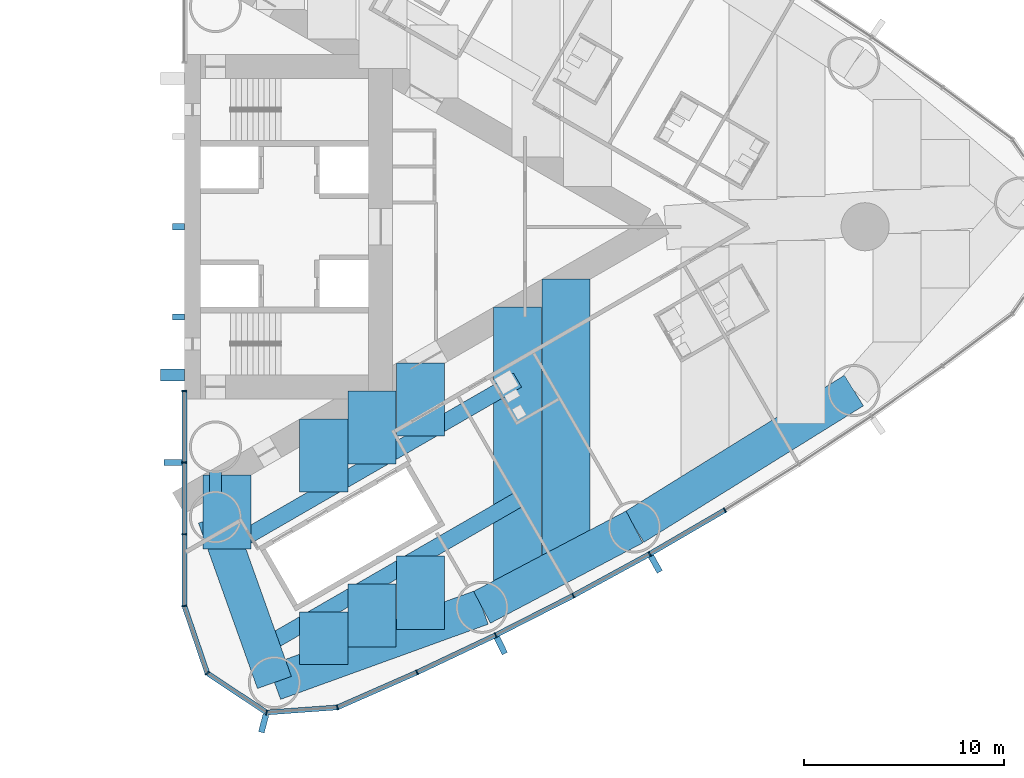
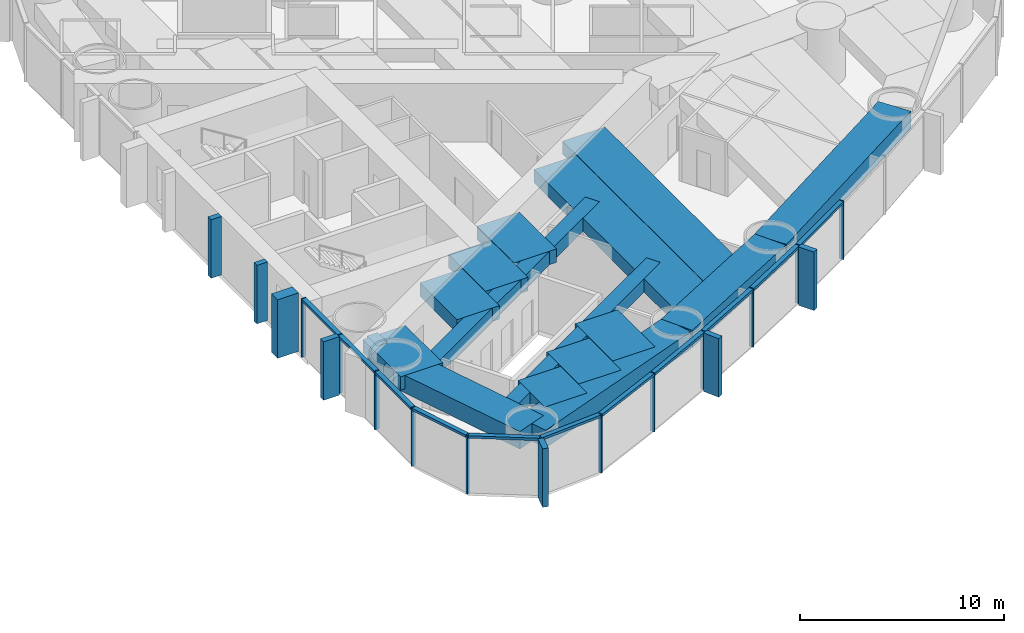
# One storey, part 6 of 19: 30 members, 16 beams, 1 element without a shape of its own.
"""IFC4 building model written with IfcOpenShell, lengths in metres."""

from ifc_helpers import new_model, si_unit, direction, frame, origin, origin_2d, place, context, subcontext, project, spatial, rectangle, hollow_rectangle, extrude, material, material_profile, profile_set, type_object, element, aggregate, save


model = new_model("IFC4")

# Units and contexts
model_context = context("Model", 3, precision=1e-05, world=origin(), true_north=direction((0.0, 1.0)))
body_context = subcontext(model_context, "Body", "Model", "MODEL_VIEW")
ifc_project = project(units=[si_unit("LENGTHUNIT", "METRE"), si_unit("AREAUNIT", "SQUARE_METRE"), si_unit("VOLUMEUNIT", "CUBIC_METRE"), si_unit("PLANEANGLEUNIT", "RADIAN"), si_unit("MASSUNIT", "GRAM", prefix="KILO")], contexts=[model_context])

# Site, building, storey
site_placement = place(None, origin())
site = spatial("IfcSite", under=ifc_project, at=site_placement, CompositionType="ELEMENT")
building_placement = place(site_placement, origin())
building = spatial("IfcBuilding", under=site, at=building_placement, Name="Lancet Gate Hotel", CompositionType="ELEMENT")
storey_placement = place(building_placement, frame((0.0, 0.0, 111.60009765625)))
storey = spatial("IfcBuildingStorey", under=building, at=storey_placement, Name="L29", CompositionType="ELEMENT", Elevation=111.60009765625)

# Curtain wall, members
ifc_material_1 = material(Name="Aluminium curtain wall", Category="aluminium")
curtain_wall_type = type_object("IfcCurtainWallType", Name="Tower unitised curtain wall", PredefinedType="USERDEFINED", material=ifc_material_1)
curtain_wall_placement = place(storey_placement, origin())
curtain_wall = element("IfcCurtainWall", 1, at=curtain_wall_placement, inside=storey, type_object=curtain_wall_type, Name="T2 L29 curtain wall 1", ObjectType="UNITISED CURTAIN WALL", PredefinedType="USERDEFINED")
ifc_material_2 = material(Name="Aluminium mullion", Category="aluminium")
ifc_material_profile_1 = material_profile(ifc_material_2, rectangle(XDim=0.06494140625, YDim=0.25, at=origin_2d()), Name="MULLION 65x250")
ifc_profile_set_1 = profile_set([ifc_material_profile_1], Name="Aluminium mullion")
member_type_1 = type_object("IfcMemberType", Name="Aluminium mullion 65x250", PredefinedType="MULLION", material=ifc_profile_set_1)
member_1_placement = place(storey_placement, frame((27.5, -8.199951171875, 0.0), z_axis=(0.0, 0.0, 1.0), x_axis=(0.0, -1.0, 0.0)))
member_1 = element("IfcMember", 2, at=member_1_placement, type_object=member_type_1, Name="T2 L29 curtain wall 1 mullion 1", PredefinedType="MULLION", context=body_context, shape_type="SweptSolid", body=[
    extrude(rectangle(XDim=0.06494140625, YDim=0.25, at=origin_2d()), origin(), (0.0, 0.0, 1.0), 3.5),
])
member_2_placement = place(storey_placement, frame((27.5, -11.781005859375, 0.0), z_axis=(0.0, 0.0, 1.0), x_axis=(0.0, -1.0, 0.0)))
member_2 = element("IfcMember", 3, at=member_2_placement, type_object=member_type_1, Name="T2 L29 curtain wall 1 mullion 2", PredefinedType="MULLION", context=body_context, shape_type="SweptSolid", body=[
    extrude(rectangle(XDim=0.06494140625, YDim=0.25, at=origin_2d()), origin(), (0.0, 0.0, 1.0), 3.5),
])
member_3_placement = place(storey_placement, frame((27.5, -15.362060546875, 0.0), z_axis=(0.0, 0.0, 1.0), x_axis=(0.0, -1.0, 0.0)))
member_3 = element("IfcMember", 4, at=member_3_placement, type_object=member_type_1, Name="T2 L29 curtain wall 1 mullion 3", PredefinedType="MULLION", context=body_context, shape_type="SweptSolid", body=[
    extrude(rectangle(XDim=0.06494140625, YDim=0.25, at=origin_2d()), origin(), (0.0, 0.0, 1.0), 3.5),
])
member_4_placement = place(storey_placement, frame((27.5, -18.94287109375, 0.0), z_axis=(0.0, 0.0, 1.0), x_axis=(0.162738742557, -0.986669195663, 0.0)))
member_4 = element("IfcMember", 5, at=member_4_placement, type_object=member_type_1, Name="T2 L29 curtain wall 1 mullion 4", PredefinedType="MULLION", context=body_context, shape_type="SweptSolid", body=[
    extrude(rectangle(XDim=0.06494140625, YDim=0.25, at=origin_2d()), origin(), (0.0, 0.0, 1.0), 3.5),
])
member_5_placement = place(storey_placement, frame((28.64453125, -22.301513671875, 0.0), z_axis=(0.0, 0.0, 1.0), x_axis=(0.610663954798, -0.79188984986, 0.0)))
member_5 = element("IfcMember", 6, at=member_5_placement, type_object=member_type_1, Name="T2 L29 curtain wall 1 mullion 5", PredefinedType="MULLION", context=body_context, shape_type="SweptSolid", body=[
    extrude(rectangle(XDim=0.06494140625, YDim=0.25, at=origin_2d()), origin(), (0.0, 0.0, 1.0), 3.5),
])
member_6_placement = place(storey_placement, frame((31.60205078125, -24.26220703125, 0.0), z_axis=(0.0, 0.0, 1.0), x_axis=(0.967157174963, -0.254179068604, 0.0)))
member_6 = element("IfcMember", 7, at=member_6_placement, type_object=member_type_1, Name="T2 L29 curtain wall 1 mullion 6", PredefinedType="MULLION", context=body_context, shape_type="SweptSolid", body=[
    extrude(rectangle(XDim=0.06494140625, YDim=0.25, at=origin_2d()), origin(), (0.0, 0.0, 1.0), 3.5),
])
member_7_placement = place(storey_placement, frame((35.141357421875, -24.009033203125, 0.0), z_axis=(0.0, 0.0, 1.0), x_axis=(0.966317378791, 0.257353304711, 0.0)))
member_7 = element("IfcMember", 8, at=member_7_placement, type_object=member_type_1, Name="T2 L29 curtain wall 1 mullion 7", PredefinedType="MULLION", context=body_context, shape_type="SweptSolid", body=[
    extrude(rectangle(XDim=0.06494140625, YDim=0.25, at=origin_2d()), origin(), (0.0, 0.0, 1.0), 3.5),
])
member_8_placement = place(storey_placement, frame((39.12109375, -22.259765625, 0.0), z_axis=(0.0, 0.0, 1.0), x_axis=(0.909672766767, 0.415325724465, 0.0)))
member_8 = element("IfcMember", 9, at=member_8_placement, type_object=member_type_1, Name="T2 L29 curtain wall 1 mullion 8", PredefinedType="MULLION", context=body_context, shape_type="SweptSolid", body=[
    extrude(rectangle(XDim=0.06494140625, YDim=0.25, at=origin_2d()), origin(), (0.0, 0.0, 1.0), 3.5),
])
member_9_placement = place(storey_placement, frame((43.0498046875, -20.398193359375, 0.0), z_axis=(0.0, 0.0, 1.0), x_axis=(0.897511886496, 0.440990264743, 0.0)))
member_9 = element("IfcMember", 10, at=member_9_placement, type_object=member_type_1, Name="T2 L29 curtain wall 1 mullion 9", PredefinedType="MULLION", context=body_context, shape_type="SweptSolid", body=[
    extrude(rectangle(XDim=0.06494140625, YDim=0.25, at=origin_2d()), origin(), (0.0, 0.0, 1.0), 3.5),
])
member_10_placement = place(storey_placement, frame((46.923828125, -18.426025390625, 0.0), z_axis=(0.0, 0.0, 1.0), x_axis=(0.884627112962, 0.466299121822, 0.0)))
member_10 = element("IfcMember", 11, at=member_10_placement, type_object=member_type_1, Name="T2 L29 curtain wall 1 mullion 10", PredefinedType="MULLION", context=body_context, shape_type="SweptSolid", body=[
    extrude(rectangle(XDim=0.06494140625, YDim=0.25, at=origin_2d()), origin(), (0.0, 0.0, 1.0), 3.5),
])
member_11_placement = place(storey_placement, frame((50.740478515625, -16.344482421875, 0.0), z_axis=(0.0, 0.0, 1.0), x_axis=(0.871028838445, 0.491231882716, 0.0)))
member_11 = element("IfcMember", 12, at=member_11_placement, type_object=member_type_1, Name="T2 L29 curtain wall 1 mullion 11", PredefinedType="MULLION", context=body_context, shape_type="SweptSolid", body=[
    extrude(rectangle(XDim=0.06494140625, YDim=0.25, at=origin_2d()), origin(), (0.0, 0.0, 1.0), 3.5),
])
member_12_placement = place(storey_placement, frame((54.496337890625, -14.1552734375, 0.0), z_axis=(0.0, 0.0, 1.0), x_axis=(0.856728030701, 0.515768437781, 0.0)))
member_12 = element("IfcMember", 13, at=member_12_placement, type_object=member_type_1, Name="T2 L29 curtain wall 1 mullion 12", PredefinedType="MULLION", context=body_context, shape_type="SweptSolid", body=[
    extrude(rectangle(XDim=0.06494140625, YDim=0.25, at=origin_2d()), origin(), (0.0, 0.0, 1.0), 3.5),
])
ifc_material_3 = material(Name="Aluminium transom", Category="aluminium")
ifc_material_profile_2 = material_profile(ifc_material_3, rectangle(XDim=0.25, YDim=0.14990234375, at=origin_2d()), Name="TRANSOM 250x150")
ifc_profile_set_2 = profile_set([ifc_material_profile_2], Name="Aluminium transom")
member_type_2 = type_object("IfcMemberType", Name="Aluminium transom 250x150", PredefinedType="USERDEFINED", material=ifc_profile_set_2)
member_13_placement = place(storey_placement, frame((27.5, -8.232421875, 3.4248046875), z_axis=(0.0, -1.0, 0.0), x_axis=(1.0, 0.0, 0.0)))
member_13 = element("IfcMember", 14, at=member_13_placement, type_object=member_type_2, Name="T2 L29 curtain wall 1 transom 1", ObjectType="TRANSOM", PredefinedType="USERDEFINED", context=body_context, shape_type="SweptSolid", body=[
    extrude(rectangle(XDim=0.25, YDim=0.14990234375, at=origin_2d()), origin(), (0.0, 0.0, 1.0), 3.51611328125),
])
member_14_placement = place(storey_placement, frame((27.5, -11.8134765625, 3.4248046875), z_axis=(0.0, -1.0, 0.0), x_axis=(1.0, 0.0, 0.0)))
member_14 = element("IfcMember", 15, at=member_14_placement, type_object=member_type_2, Name="T2 L29 curtain wall 1 transom 2", ObjectType="TRANSOM", PredefinedType="USERDEFINED", context=body_context, shape_type="SweptSolid", body=[
    extrude(rectangle(XDim=0.25, YDim=0.14990234375, at=origin_2d()), origin(), (0.0, 0.0, 1.0), 3.515869140625),
])
member_15_placement = place(storey_placement, frame((27.5, -15.39453125, 3.4248046875), z_axis=(0.0, -1.0, 0.0), x_axis=(1.0, 0.0, 0.0)))
member_15 = element("IfcMember", 16, at=member_15_placement, type_object=member_type_2, Name="T2 L29 curtain wall 1 transom 3", ObjectType="TRANSOM", PredefinedType="USERDEFINED", context=body_context, shape_type="SweptSolid", body=[
    extrude(rectangle(XDim=0.25, YDim=0.14990234375, at=origin_2d()), origin(), (0.0, 0.0, 1.0), 3.515869140625),
])
member_16_placement = place(storey_placement, frame((27.510498046875, -18.9736328125, 3.4248046875), z_axis=(0.322549769135, -0.946552505903, 0.0), x_axis=(0.946552505903, 0.322549769135, 0.0)))
member_16 = element("IfcMember", 17, at=member_16_placement, type_object=member_type_2, Name="T2 L29 curtain wall 1 transom 4", ObjectType="TRANSOM", PredefinedType="USERDEFINED", context=body_context, shape_type="SweptSolid", body=[
    extrude(rectangle(XDim=0.25, YDim=0.14990234375, at=origin_2d()), origin(), (0.0, 0.0, 1.0), 3.4833984375),
])
member_17_placement = place(storey_placement, frame((28.671630859375, -22.319580078125, 3.4248046875), z_axis=(0.833470854141, -0.552563421968, 0.0), x_axis=(0.552563421968, 0.833470854141, 0.0)))
member_17 = element("IfcMember", 18, at=member_17_placement, type_object=member_type_2, Name="T2 L29 curtain wall 1 transom 5", ObjectType="TRANSOM", PredefinedType="USERDEFINED", context=body_context, shape_type="SweptSolid", body=[
    extrude(rectangle(XDim=0.25, YDim=0.14990234375, at=origin_2d()), origin(), (0.0, 0.0, 1.0), 3.4833984375),
])
member_18_placement = place(storey_placement, frame((31.634521484375, -24.260009765625, 3.4248046875), z_axis=(0.997446232115, 0.071421383636, 0.0), x_axis=(-0.071421383636, 0.997446232115, 0.0)))
member_18 = element("IfcMember", 19, at=member_18_placement, type_object=member_type_2, Name="T2 L29 curtain wall 1 transom 6", ObjectType="TRANSOM", PredefinedType="USERDEFINED", context=body_context, shape_type="SweptSolid", body=[
    extrude(rectangle(XDim=0.25, YDim=0.14990234375, at=origin_2d()), origin(), (0.0, 0.0, 1.0), 3.483154296875),
])
member_19_placement = place(storey_placement, frame((35.171142578125, -23.995849609375, 3.4248046875), z_axis=(0.915484772266, 0.402352621155, 0.0), x_axis=(-0.402352621155, 0.915484772266, 0.0)))
member_19 = element("IfcMember", 20, at=member_19_placement, type_object=member_type_2, Name="T2 L29 curtain wall 1 transom 7", ObjectType="TRANSOM", PredefinedType="USERDEFINED", context=body_context, shape_type="SweptSolid", body=[
    extrude(rectangle(XDim=0.25, YDim=0.14990234375, at=origin_2d()), origin(), (0.0, 0.0, 1.0), 4.281982421875),
])
member_20_placement = place(storey_placement, frame((39.150634765625, -22.245849609375, 3.4248046875), z_axis=(0.903679787814, 0.428208875546, 0.0), x_axis=(-0.428208875546, 0.903679787814, 0.0)))
member_20 = element("IfcMember", 21, at=member_20_placement, type_object=member_type_2, Name="T2 L29 curtain wall 1 transom 8", ObjectType="TRANSOM", PredefinedType="USERDEFINED", context=body_context, shape_type="SweptSolid", body=[
    extrude(rectangle(XDim=0.25, YDim=0.14990234375, at=origin_2d()), origin(), (0.0, 0.0, 1.0), 4.282470703125),
])
member_21_placement = place(storey_placement, frame((43.07861328125, -20.383544921875, 3.4248046875), z_axis=(0.891165630033, 0.453678101574, 0.0), x_axis=(-0.453678101574, 0.891165630033, 0.0)))
member_21 = element("IfcMember", 22, at=member_21_placement, type_object=member_type_2, Name="T2 L29 curtain wall 1 transom 9", ObjectType="TRANSOM", PredefinedType="USERDEFINED", context=body_context, shape_type="SweptSolid", body=[
    extrude(rectangle(XDim=0.25, YDim=0.14990234375, at=origin_2d()), origin(), (0.0, 0.0, 1.0), 4.282470703125),
])
member_22_placement = place(storey_placement, frame((46.952392578125, -18.410400390625, 3.4248046875), z_axis=(0.877906466435, 0.478832158685, 0.0), x_axis=(-0.478832158685, 0.877906466435, 0.0)))
member_22 = element("IfcMember", 23, at=member_22_placement, type_object=member_type_2, Name="T2 L29 curtain wall 1 transom 10", ObjectType="TRANSOM", PredefinedType="USERDEFINED", context=body_context, shape_type="SweptSolid", body=[
    extrude(rectangle(XDim=0.25, YDim=0.14990234375, at=origin_2d()), origin(), (0.0, 0.0, 1.0), 4.282470703125),
])
member_23_placement = place(storey_placement, frame((50.7685546875, -16.327880859375, 3.4248046875), z_axis=(0.863973212152, 0.503537772847, 0.0), x_axis=(-0.503537772847, 0.863973212152, 0.0)))
member_23 = element("IfcMember", 24, at=member_23_placement, type_object=member_type_2, Name="T2 L29 curtain wall 1 transom 11", ObjectType="TRANSOM", PredefinedType="USERDEFINED", context=body_context, shape_type="SweptSolid", body=[
    extrude(rectangle(XDim=0.25, YDim=0.14990234375, at=origin_2d()), origin(), (0.0, 0.0, 1.0), 4.2822265625),
])

# Beams
ifc_material_4 = material(Name="Concrete C50/60", Category="concrete")
ifc_material_profile_3 = material_profile(ifc_material_4, rectangle(XDim=1.800048828125, YDim=1.050048828125, at=origin_2d()), Name="RC 1800x1050")
ifc_profile_set_3 = profile_set([ifc_material_profile_3], Name="Concrete C50/60")
beam_type_1 = type_object("IfcBeamType", Name="Edge beam RC 1800x1050", PredefinedType="SPANDREL", material=ifc_profile_set_3)
beam_1_placement = place(storey_placement, frame((31.99609375, -22.76318359375, 2.724853515625), z_axis=(0.940225039526, 0.340553777029, 0.0), x_axis=(-0.340553777029, 0.940225039526, 0.0)))
element("IfcBeam", 25, at=beam_1_placement, inside=storey, type_object=beam_type_1, Name="T2 edge beam EB1 L29", PredefinedType="SPANDREL", context=body_context, shape_type="SweptSolid", body=[
    extrude(rectangle(XDim=1.800048828125, YDim=1.050048828125, at=origin_2d()), origin(), (0.0, 0.0, 1.0), 11.029296875),
])
beam_2_placement = place(storey_placement, frame((42.3662109375, -19.007080078125, 2.724853515625), z_axis=(0.884632510133, 0.466288882578, 0.0), x_axis=(-0.466288882578, 0.884632510133, 0.0)))
element("IfcBeam", 26, at=beam_2_placement, inside=storey, type_object=beam_type_1, Name="T2 edge beam EB1 L29", PredefinedType="SPANDREL", context=body_context, shape_type="SweptSolid", body=[
    extrude(rectangle(XDim=1.800048828125, YDim=1.050048828125, at=origin_2d()), origin(), (0.0, 0.0, 1.0), 8.605712890625),
])
beam_3_placement = place(storey_placement, frame((49.97900390625, -14.994384765625, 2.724853515625), z_axis=(0.849312372751, 0.527890607505, 0.0), x_axis=(-0.527890607505, 0.849312372751, 0.0)))
element("IfcBeam", 27, at=beam_3_placement, inside=storey, type_object=beam_type_1, Name="T2 edge beam EB1 L29", PredefinedType="SPANDREL", context=body_context, shape_type="SweptSolid", body=[
    extrude(rectangle(XDim=1.800048828125, YDim=1.050048828125, at=origin_2d()), origin(), (0.0, 0.0, 1.0), 12.906494140625),
])
beam_4_placement = place(storey_placement, frame((31.99609375, -22.76318359375, 2.724853515625), z_axis=(-0.335821559388, 0.941925623523, 0.0), x_axis=(-0.941925623523, -0.335821559388, 0.0)))
element("IfcBeam", 28, at=beam_4_placement, inside=storey, type_object=beam_type_1, Name="T2 edge beam EB1 L29", PredefinedType="SPANDREL", context=body_context, shape_type="SweptSolid", body=[
    extrude(rectangle(XDim=1.800048828125, YDim=1.050048828125, at=origin_2d()), origin(), (0.0, 0.0, 1.0), 8.772705078125),
])

# Member
ifc_material_5 = material(Name="Concrete C60/75", Category="concrete")
ifc_material_profile_4 = material_profile(ifc_material_5, rectangle(XDim=0.60009765625, YDim=1.199951171875, at=origin_2d()), Name="FIN 600x1200")
ifc_profile_set_4 = profile_set([ifc_material_profile_4], Name="Concrete C60/75")
member_type_3 = type_object("IfcMemberType", Name="Exposed concrete buttress pilaster 600x1200", PredefinedType="USERDEFINED", material=ifc_profile_set_4)
member_24_placement = place(storey_placement, frame((26.909912109375, -7.39990234375, 0.0), z_axis=(0.0, 0.0, 1.0), x_axis=(0.0, 1.0, 0.0)))
element("IfcMember", 29, at=member_24_placement, inside=storey, type_object=member_type_3, Name="T2 buttress pilaster S L29", ObjectType="FIN", PredefinedType="USERDEFINED", context=body_context, shape_type="SweptSolid", body=[
    extrude(rectangle(XDim=0.60009765625, YDim=1.199951171875, at=origin_2d()), origin(), (0.0, 0.0, 1.0), 3.5),
])

ifc_material_6 = material(Name="Precast concrete C50/60", Category="concrete")
ifc_material_profile_5 = material_profile(ifc_material_6, rectangle(XDim=0.300048828125, YDim=0.89990234375, at=origin_2d()), Name="FIN 300x900")
ifc_profile_set_5 = profile_set([ifc_material_profile_5], Name="Precast concrete C50/60")
member_type_4 = type_object("IfcMemberType", Name="Exposed concrete fin 300x900", PredefinedType="USERDEFINED", material=ifc_profile_set_5)
member_25_placement = place(storey_placement, frame((26.925048828125, -11.781005859375, 0.0), z_axis=(0.0, 0.0, 1.0), x_axis=(0.0, -1.0, 0.0)))
member_25 = element("IfcMember", 30, at=member_25_placement, type_object=member_type_4, Name="T2 L29 curtain wall 1 fin 2", ObjectType="FIN", PredefinedType="USERDEFINED", context=body_context, shape_type="SweptSolid", body=[
    extrude(rectangle(XDim=0.300048828125, YDim=0.89990234375, at=origin_2d()), origin(), (0.0, 0.0, 1.0), 3.5),
])

member_26_placement = place(storey_placement, frame((31.455810546875, -24.818359375, 0.0), z_axis=(0.0, 0.0, 1.0), x_axis=(0.967157174963, -0.254179068604, 0.0)))
member_26 = element("IfcMember", 31, at=member_26_placement, type_object=member_type_4, Name="T2 L29 curtain wall 1 fin 6", ObjectType="FIN", PredefinedType="USERDEFINED", context=body_context, shape_type="SweptSolid", body=[
    extrude(rectangle(XDim=0.300048828125, YDim=0.89990234375, at=origin_2d()), origin(), (0.0, 0.0, 1.0), 3.5),
])

member_27_placement = place(storey_placement, frame((43.30322265625, -20.914306640625, 0.0), z_axis=(0.0, 0.0, 1.0), x_axis=(0.897511886496, 0.440990264743, 0.0)))
member_27 = element("IfcMember", 32, at=member_27_placement, type_object=member_type_4, Name="T2 L29 curtain wall 1 fin 9", ObjectType="FIN", PredefinedType="USERDEFINED", context=body_context, shape_type="SweptSolid", body=[
    extrude(rectangle(XDim=0.300048828125, YDim=0.89990234375, at=origin_2d()), origin(), (0.0, 0.0, 1.0), 3.5),
])

member_28_placement = place(storey_placement, frame((51.02294921875, -16.84521484375, 0.0), z_axis=(0.0, 0.0, 1.0), x_axis=(0.871028838445, 0.491231882716, 0.0)))
member_28 = element("IfcMember", 33, at=member_28_placement, type_object=member_type_4, Name="T2 L29 curtain wall 1 fin 11", ObjectType="FIN", PredefinedType="USERDEFINED", context=body_context, shape_type="SweptSolid", body=[
    extrude(rectangle(XDim=0.300048828125, YDim=0.89990234375, at=origin_2d()), origin(), (0.0, 0.0, 1.0), 3.5),
])

aggregate(curtain_wall, [member_1, member_2, member_25, member_3, member_4, member_5, member_6, member_26, member_7, member_8, member_9, member_27, member_10, member_11, member_28, member_12, member_13, member_14, member_15, member_16, member_17, member_18, member_19, member_20, member_21, member_22, member_23])

# Members
ifc_material_7 = material(Name="Concrete C60/75", Category="concrete")
ifc_material_profile_6 = material_profile(ifc_material_7, rectangle(XDim=0.300048828125, YDim=0.60009765625, at=origin_2d()), Name="FIN 300x600")
ifc_profile_set_6 = profile_set([ifc_material_profile_6], Name="Concrete C60/75")
member_type_5 = type_object("IfcMemberType", Name="Exposed concrete rib 300x600", PredefinedType="USERDEFINED", material=ifc_profile_set_6)
for number, where, z_axis, x_axis, name in (
    (34, (27.2099609375, -4.5, 0.0), (0.0, 0.0, 1.0), (0.0, 1.0, 0.0), "T2 core rib 1 L29"),
    (35, (27.2099609375, 0.0, 0.0), (0.0, 0.0, 1.0), (0.0, 1.0, 0.0), "T2 core rib 2 L29"),
):
    element("IfcMember", number, at=place(storey_placement, frame(where, z_axis=z_axis, x_axis=x_axis)), inside=storey, type_object=member_type_5, Name=name, ObjectType="FIN", PredefinedType="USERDEFINED", context=body_context, shape_type="SweptSolid", body=[
        extrude(rectangle(XDim=0.300048828125, YDim=0.60009765625, at=origin_2d()), origin(), (0.0, 0.0, 1.0), 3.5),
    ])

# Beams
ifc_material_8 = material(Name="Concrete C50/60", Category="concrete")
ifc_material_profile_7 = material_profile(ifc_material_8, rectangle(XDim=2.39990234375, YDim=0.800048828125, at=origin_2d()), Name="RC 2400x800")
ifc_profile_set_7 = profile_set([ifc_material_profile_7], Name="Concrete C50/60")
beam_type_2 = type_object("IfcBeamType", Name="Floor beam RC 2400x800", PredefinedType="BEAM", material=ifc_profile_set_7)
beam_5_placement = place(storey_placement, frame((29.6201171875, -16.099365234375, 2.849853515625), z_axis=(0.0, 1.0, 0.0), x_axis=(-1.0, 0.0, 0.0)))
element("IfcBeam", 36, at=beam_5_placement, inside=storey, type_object=beam_type_2, Name="T2 floor beam F01S L29", PredefinedType="BEAM", context=body_context, shape_type="SweptSolid", body=[
    extrude(rectangle(XDim=2.39990234375, YDim=0.800048828125, at=origin_2d()), origin(), (0.0, 0.0, 1.0), 3.69677734375),
])
beam_6_placement = place(storey_placement, frame((44.1416015625, -18.0712890625, 2.849853515625), z_axis=(0.0, 1.0, 0.0), x_axis=(-1.0, 0.0, 0.0)))
element("IfcBeam", 37, at=beam_6_placement, inside=storey, type_object=beam_type_2, Name="T2 floor beam F09S L29", PredefinedType="BEAM", context=body_context, shape_type="SweptSolid", body=[
    extrude(rectangle(XDim=2.39990234375, YDim=0.800048828125, at=origin_2d()), origin(), (0.0, 0.0, 1.0), 14.052490234375),
])
beam_7_placement = place(storey_placement, frame((46.561767578125, -16.795654296875, 2.849853515625), z_axis=(0.0, 1.0, 0.0), x_axis=(-1.0, 0.0, 0.0)))
element("IfcBeam", 38, at=beam_7_placement, inside=storey, type_object=beam_type_2, Name="T2 floor beam F11S L29", PredefinedType="BEAM", context=body_context, shape_type="SweptSolid", body=[
    extrude(rectangle(XDim=2.39990234375, YDim=0.800048828125, at=origin_2d()), origin(), (0.0, 0.0, 1.0), 14.17431640625),
])
beam_8_placement = place(storey_placement, frame((34.460693359375, -21.87060546875, 2.849853515625), z_axis=(0.0, 1.0, 0.0), x_axis=(-1.0, 0.0, 0.0)))
element("IfcBeam", 39, at=beam_8_placement, inside=storey, type_object=beam_type_2, Name="T2 floor beam F03SA L29", PredefinedType="BEAM", context=body_context, shape_type="SweptSolid", body=[
    extrude(rectangle(XDim=2.39990234375, YDim=0.800048828125, at=origin_2d()), origin(), (0.0, 0.0, 1.0), 2.62939453125),
])
beam_9_placement = place(storey_placement, frame((34.460693359375, -13.253662109375, 2.849853515625), z_axis=(0.0, 1.0, 0.0), x_axis=(-1.0, 0.0, 0.0)))
element("IfcBeam", 40, at=beam_9_placement, inside=storey, type_object=beam_type_2, Name="T2 floor beam F03SB L29", PredefinedType="BEAM", context=body_context, shape_type="SweptSolid", body=[
    extrude(rectangle(XDim=2.39990234375, YDim=0.800048828125, at=origin_2d()), origin(), (0.0, 0.0, 1.0), 3.645751953125),
])
beam_10_placement = place(storey_placement, frame((36.880859375, -20.993896484375, 2.849853515625), z_axis=(0.0, 1.0, 0.0), x_axis=(-1.0, 0.0, 0.0)))
element("IfcBeam", 41, at=beam_10_placement, inside=storey, type_object=beam_type_2, Name="T2 floor beam F05SA L29", PredefinedType="BEAM", context=body_context, shape_type="SweptSolid", body=[
    extrude(rectangle(XDim=2.39990234375, YDim=0.800048828125, at=origin_2d()), origin(), (0.0, 0.0, 1.0), 3.150146484375),
])
beam_11_placement = place(storey_placement, frame((36.880859375, -11.8564453125, 2.849853515625), z_axis=(0.0, 1.0, 0.0), x_axis=(-1.0, 0.0, 0.0)))
element("IfcBeam", 42, at=beam_11_placement, inside=storey, type_object=beam_type_2, Name="T2 floor beam F05SB L29", PredefinedType="BEAM", context=body_context, shape_type="SweptSolid", body=[
    extrude(rectangle(XDim=2.39990234375, YDim=0.800048828125, at=origin_2d()), origin(), (0.0, 0.0, 1.0), 3.645751953125),
])
beam_12_placement = place(storey_placement, frame((39.301025390625, -20.1171875, 2.849853515625), z_axis=(0.0, 1.0, 0.0), x_axis=(-1.0, 0.0, 0.0)))
element("IfcBeam", 43, at=beam_12_placement, inside=storey, type_object=beam_type_2, Name="T2 floor beam F07SA L29", PredefinedType="BEAM", context=body_context, shape_type="SweptSolid", body=[
    extrude(rectangle(XDim=2.39990234375, YDim=0.800048828125, at=origin_2d()), origin(), (0.0, 0.0, 1.0), 3.670654296875),
])
beam_13_placement = place(storey_placement, frame((39.301025390625, -10.458984375, 2.849853515625), z_axis=(0.0, 1.0, 0.0), x_axis=(-1.0, 0.0, 0.0)))
element("IfcBeam", 44, at=beam_13_placement, inside=storey, type_object=beam_type_2, Name="T2 floor beam F07SB L29", PredefinedType="BEAM", context=body_context, shape_type="SweptSolid", body=[
    extrude(rectangle(XDim=2.39990234375, YDim=0.800048828125, at=origin_2d()), origin(), (0.0, 0.0, 1.0), 3.6455078125),
])
ifc_material_9 = material(Name="Steel S460QL", Category="steel")
ifc_material_profile_8 = material_profile(ifc_material_9, hollow_rectangle(XDim=0.60009765625, YDim=1.5, WallThickness=0.050048828125, at=origin_2d()), Name="BOX 1500x600x50")
ifc_profile_set_8 = profile_set([ifc_material_profile_8], Name="Steel S460QL")
beam_type_3 = type_object("IfcBeamType", Name="Inner-face link beam BOX 1500x600x50", PredefinedType="BEAM", material=ifc_profile_set_8)
beam_14_placement = place(storey_placement, frame((29.050048828125, -13.25, 2.5), z_axis=(0.0, 1.0, 0.0), x_axis=(-1.0, 0.0, 0.0)))
element("IfcBeam", 45, at=beam_14_placement, inside=storey, type_object=beam_type_3, Name="T2 inner-face link beam LK1 L29", PredefinedType="BEAM", context=body_context, shape_type="SweptSolid", body=[
    extrude(hollow_rectangle(XDim=0.60009765625, YDim=1.5, WallThickness=0.050048828125, at=origin_2d()), origin(), (0.0, 0.0, 1.0), 1.0),
])
ifc_material_10 = material(Name="Steel S460QL", Category="steel")
ifc_material_profile_9 = material_profile(ifc_material_10, hollow_rectangle(XDim=0.800048828125, YDim=0.800048828125, WallThickness=0.080078125, at=origin_2d()), Name="BOX 800x800x80")
ifc_profile_set_9 = profile_set([ifc_material_profile_9], Name="Steel S460QL")
beam_type_4 = type_object("IfcBeamType", Name="Trimmer beam BOX 800x800x80", PredefinedType="BEAM", material=ifc_profile_set_9)
beam_15_placement = place(storey_placement, frame((29.6201171875, -16.048095703125, 2.849853515625), z_axis=(0.866036714307, 0.499980409089, 0.0), x_axis=(-0.499980409089, 0.866036714307, 0.0)))
element("IfcBeam", 46, at=beam_15_placement, inside=storey, type_object=beam_type_4, Name="T2 trimmer beam TR01S L29", PredefinedType="BEAM", context=body_context, shape_type="SweptSolid", body=[
    extrude(hollow_rectangle(XDim=0.800048828125, YDim=0.800048828125, WallThickness=0.080078125, at=origin_2d()), origin(), (0.0, 0.0, 1.0), 16.767822265625),
])
beam_16_placement = place(storey_placement, frame((31.375244140625, -21.0224609375, 2.849853515625), z_axis=(0.86603417384, 0.49998480951, 0.0), x_axis=(-0.49998480951, 0.86603417384, 0.0)))
element("IfcBeam", 47, at=beam_16_placement, inside=storey, type_object=beam_type_4, Name="T2 trimmer beam TR02S L29", PredefinedType="BEAM", context=body_context, shape_type="SweptSolid", body=[
    extrude(hollow_rectangle(XDim=0.800048828125, YDim=0.800048828125, WallThickness=0.080078125, at=origin_2d()), origin(), (0.0, 0.0, 1.0), 14.7412109375),
])

save(model, "model.ifc")
